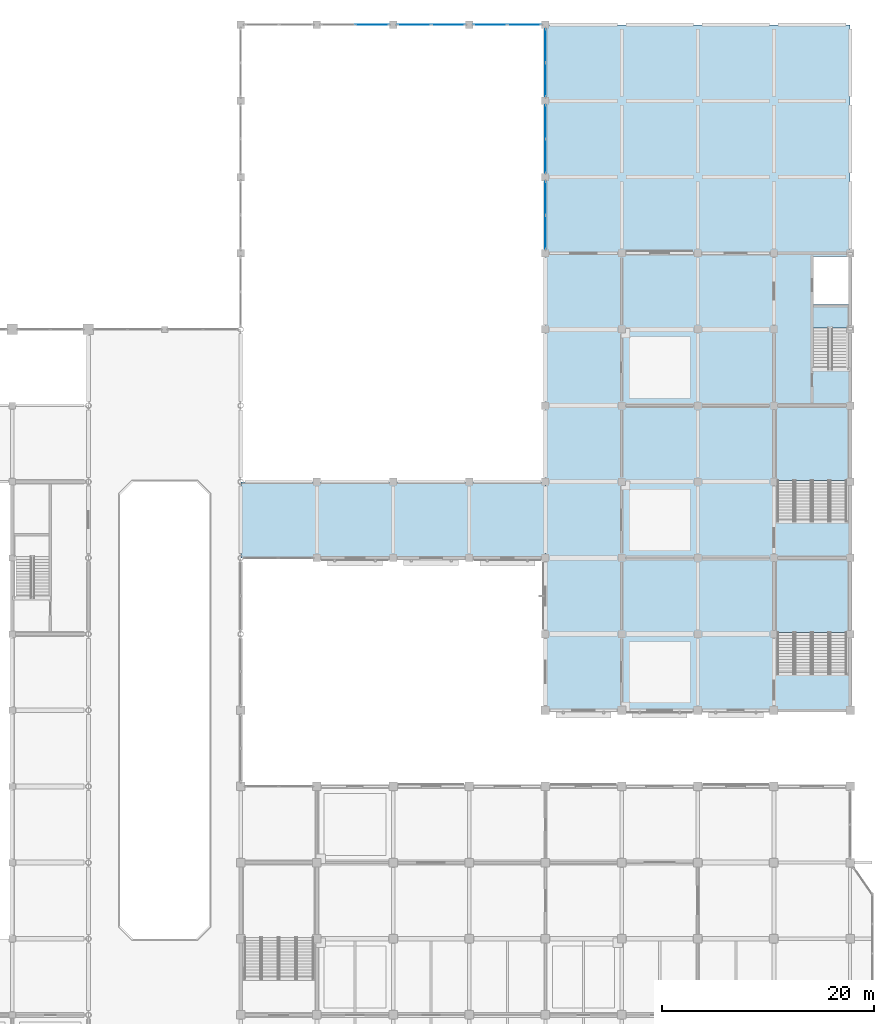
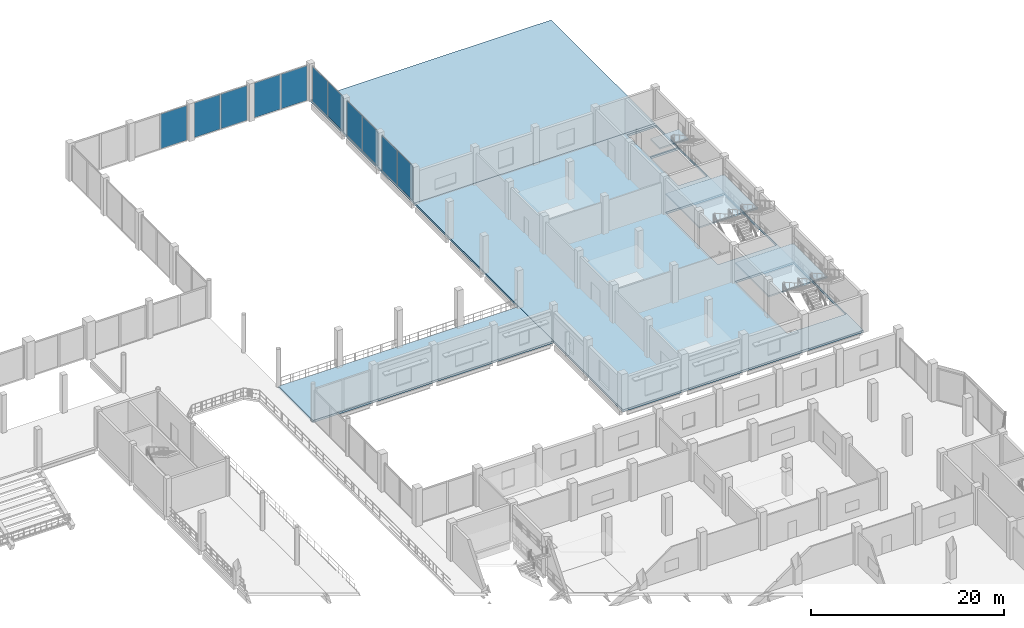
# One storey, part 59 of 99: 11 plates, 6 slabs, 9 elements without a shape of their own.
"""IFC4 building model written with IfcOpenShell, lengths in metres."""

import ifcopenshell
import ifcopenshell.guid

model = None  # the IFC model being written
_history = None  # IfcOwnerHistory: only IFC2X3 demands one
_inside = {}  # id of a spatial element -> (the spatial element, [elements in it])
_under = {}  # id of a project, library or spatial element -> (it, [spatial elements below it])
_declared = {}  # id of a project -> (the project, [libraries it declares])
_typed = {}  # id of a type object -> (the type object, [elements of that type])
_made_of = {}  # id of a material, layer set ... -> (it, [elements and type objects made of it])


def new_model(schema):
    """Start an empty IFC model of exactly this schema.

    Asked for "IFC4X3", IfcOpenShell would pick the latest addendum, in which some entities
    have other attributes; the version numbers below select the first issue.
    IFC2X3 requires an IfcOwnerHistory on every rooted entity: one is made here for all.
    """
    global model, _history
    if schema == "IFC4X3":
        model = ifcopenshell.file(schema_version=(4, 3, 0, 0))
    else:
        model = ifcopenshell.file(schema=schema)
    _inside.clear()
    _under.clear()
    _declared.clear()
    _typed.clear()
    _made_of.clear()
    _history = None
    if model.schema == "IFC2X3":
        org = make("IfcOrganization", Name="unknown")
        user = make(
            "IfcPersonAndOrganization",
            ThePerson=make("IfcPerson", FamilyName="unknown"),
            TheOrganization=org,
        )
        app = make(
            "IfcApplication",
            ApplicationDeveloper=org,
            Version="unknown",
            ApplicationFullName="unknown",
            ApplicationIdentifier="unknown",
        )
        _history = make(
            "IfcOwnerHistory",
            OwningUser=user,
            OwningApplication=app,
            ChangeAction="ADDED",
            CreationDate=0,
        )
    return model


def make(cls, **values):
    """One entity of the class cls with the attributes given. An attribute that is None is left unset."""
    return model.create_entity(
        cls, **{name: value for name, value in values.items() if value is not None}
    )


def rooted(cls, **values):
    """An entity with a GlobalId (a new one), such as an element, a storey or a relation."""
    return make(cls, GlobalId=ifcopenshell.guid.new(), OwnerHistory=_history, **values)


def si_unit(unit_type, name, prefix=None):
    """IfcSIUnit, for example si_unit("LENGTHUNIT", "METRE", prefix="MILLI")."""
    return make("IfcSIUnit", UnitType=unit_type, Prefix=prefix, Name=name)


def assignment(units):
    """IfcUnitAssignment: the units of a project."""
    return None if units is None else make("IfcUnitAssignment", Units=units)


def point(xyz):
    """IfcCartesianPoint."""
    return None if xyz is None else make("IfcCartesianPoint", Coordinates=xyz)


def direction(xyz):
    """IfcDirection."""
    return None if xyz is None else make("IfcDirection", DirectionRatios=xyz)


def frame(location, z_axis=None, x_axis=None):
    """IfcAxis2Placement3D, a coordinate frame: its origin and axes. An axis left out is left unset."""
    return make(
        "IfcAxis2Placement3D",
        Location=point(location),
        Axis=direction(z_axis),
        RefDirection=direction(x_axis),
    )


def frame_2d(location, x_axis=None):
    """IfcAxis2Placement2D, a coordinate frame in the plane: its origin and x axis."""
    return make(
        "IfcAxis2Placement2D", Location=point(location), RefDirection=direction(x_axis)
    )


def origin():
    """The frame at (0, 0, 0) with its axes left unset."""
    return frame((0.0, 0.0, 0.0))


def origin_2d():
    """The frame at (0, 0) in the plane with its x axis left unset."""
    return frame_2d((0.0, 0.0))


def place(relative_to, where):
    """IfcLocalPlacement: puts the frame where relative to a parent placement (None: the world)."""
    return make(
        "IfcLocalPlacement", PlacementRelTo=relative_to, RelativePlacement=where
    )


def context(
    kind, dimensions, precision=None, world=None, true_north=None, identifier=None
):
    """IfcGeometricRepresentationContext, for example the 3D "Model" context."""
    return make(
        "IfcGeometricRepresentationContext",
        ContextIdentifier=identifier,
        ContextType=kind,
        CoordinateSpaceDimension=dimensions,
        Precision=precision,
        WorldCoordinateSystem=world,
        TrueNorth=true_north,
    )


def subcontext(parent, identifier, kind, view, scale=None):
    """IfcGeometricRepresentationSubContext, for example "Body" below "Model"."""
    return make(
        "IfcGeometricRepresentationSubContext",
        ContextIdentifier=identifier,
        ContextType=kind,
        ParentContext=parent,
        TargetScale=scale,
        TargetView=view,
    )


def project(units=None, contexts=None):
    """IfcProject with its units and contexts."""
    return rooted(
        "IfcProject",
        Name="project",
        RepresentationContexts=contexts,
        UnitsInContext=assignment(units),
    )


def spatial(cls, under=None, at=None, **own):
    """A site, building, storey or space (cls), placed at a placement, below another one or the project."""
    s = rooted(cls, ObjectPlacement=at, **own)
    if under is not None:
        _under.setdefault(under.id(), (under, []))[1].append(s)
    return s


def polyline(points):
    """IfcPolyline through the points."""
    return make("IfcPolyline", Points=[point(p) for p in points])


def profile(cls, at=None, kind="AREA", **sizes):
    """A parametric profile (cls). Its sizes go by their IFC names, for example OverallWidth=200.0."""
    return make(cls, ProfileType=kind, Position=at, **sizes)


def rectangle(**sizes):
    """IfcRectangleProfileDef."""
    return profile("IfcRectangleProfileDef", **sizes)


def outline(outer, holes=None, kind="AREA"):
    """IfcArbitraryClosedProfileDef: a profile drawn as a closed curve; with holes, ...WithVoids."""
    if holes is None:
        return make("IfcArbitraryClosedProfileDef", ProfileType=kind, OuterCurve=outer)
    return make(
        "IfcArbitraryProfileDefWithVoids",
        ProfileType=kind,
        OuterCurve=outer,
        InnerCurves=holes,
    )


def extrude(swept, where, along, depth):
    """IfcExtrudedAreaSolid: the profile swept, set in the frame where, extruded along a direction by depth."""
    return make(
        "IfcExtrudedAreaSolid",
        SweptArea=swept,
        Position=where,
        ExtrudedDirection=direction(along),
        Depth=depth,
    )


def shape(context_of_items, identifier, shape_type, items):
    """IfcShapeRepresentation: the items that make up one representation, for example the "Body"."""
    return make(
        "IfcShapeRepresentation",
        ContextOfItems=context_of_items,
        RepresentationIdentifier=identifier,
        RepresentationType=shape_type,
        Items=items,
    )


def material(Name=None, Category=None):
    """IfcMaterial."""
    return make("IfcMaterial", Name=Name, Category=Category)


def layer(
    of_material, thickness, ventilated=None, Name=None, Category=None, Priority=None
):
    """IfcMaterialLayer: one layer of a wall or slab, of a material (None: an air gap)."""
    return make(
        "IfcMaterialLayer",
        Material=of_material,
        LayerThickness=thickness,
        IsVentilated=ventilated,
        Name=Name,
        Category=Category,
        Priority=Priority,
    )


def layer_set(layers, Name=None):
    """IfcMaterialLayerSet."""
    return make("IfcMaterialLayerSet", MaterialLayers=layers, LayerSetName=Name)


def made_of(thing, what):
    """Note that an element or type object is made of a material, layer set ...; save() writes the relation."""
    if what is not None:
        _made_of.setdefault(what.id(), (what, []))[1].append(thing)
    return thing


def type_object(cls, material=None, **own):
    """A type object (cls), such as IfcWallType, which elements share."""
    return made_of(rooted(cls, **own), material)


def element(
    cls,
    number,
    at=None,
    inside=None,
    cuts=None,
    type_object=None,
    material=None,
    context=None,
    identifier="Body",
    shape_type=None,
    held_by="IfcProductDefinitionShape",
    body=None,
    shapes=None,
    **own,
):
    """One element of the class cls, such as IfcWall. Its Tag is "e" and its number.

    at: its placement. inside: the storey or other place that contains it. cuts: it is an
    opening in that element (IfcRelVoidsElement). A single representation is given by context,
    identifier, shape_type and body (its items); several are given by shapes. held_by: the class
    of the entity that holds the representations. save() writes the other relations.
    """
    e = rooted(cls, Tag="e%d" % number, ObjectPlacement=at, **own)
    if body is not None:
        shapes = [shape(context, identifier, shape_type, body)]
    if shapes is not None:
        e.Representation = make(held_by, Representations=shapes)
    if inside is not None:
        _inside.setdefault(inside.id(), (inside, []))[1].append(e)
    if cuts is not None:
        rooted(
            "IfcRelVoidsElement", RelatingBuildingElement=cuts, RelatedOpeningElement=e
        )
    if type_object is not None:
        _typed.setdefault(type_object.id(), (type_object, []))[1].append(e)
    return made_of(e, material)


def aggregate(whole, parts):
    """IfcRelAggregates: a whole, such as a stair, and the parts it consists of."""
    return rooted("IfcRelAggregates", RelatingObject=whole, RelatedObjects=parts)


def save(model, path):
    """Write the relations noted so far, then the file.

    IfcRelAggregates (storeys below a building ...), IfcRelContainedInSpatialStructure (elements
    in a storey), IfcRelDefinesByType, IfcRelAssociatesMaterial and IfcRelDeclares: one each for
    every whole, place, type object, material and project.
    """
    for whole, parts in _under.values():
        aggregate(whole, parts)
    for where, things in _inside.values():
        rooted(
            "IfcRelContainedInSpatialStructure",
            RelatedElements=things,
            RelatingStructure=where,
        )
    for kind, things in _typed.values():
        rooted("IfcRelDefinesByType", RelatedObjects=things, RelatingType=kind)
    for what, things in _made_of.values():
        rooted("IfcRelAssociatesMaterial", RelatedObjects=things, RelatingMaterial=what)
    for by, libraries in _declared.values():
        rooted("IfcRelDeclares", RelatingContext=by, RelatedDefinitions=libraries)
    model.write(path)


model = new_model("IFC4")

# Units and contexts
model_context = context("Model", 3, precision=1e-05, world=origin(), true_north=direction((0.0, 1.0)))
body_context = subcontext(model_context, "Body", "Model", "MODEL_VIEW")
ifc_project = project(units=[si_unit("LENGTHUNIT", "METRE"), si_unit("AREAUNIT", "SQUARE_METRE"), si_unit("VOLUMEUNIT", "CUBIC_METRE"), si_unit("PLANEANGLEUNIT", "RADIAN"), si_unit("MASSUNIT", "GRAM", prefix="KILO")], contexts=[model_context])

# Site, building, storey
site_placement = place(None, origin())
site = spatial("IfcSite", under=ifc_project, at=site_placement, CompositionType="ELEMENT")
building_placement = place(site_placement, origin())
building = spatial("IfcBuilding", under=site, at=building_placement, Name="Vesperath Aquatics Centre", CompositionType="ELEMENT")
storey_placement = place(building_placement, frame((0.0, 0.0, 5.39990234375)))
storey = spatial("IfcBuildingStorey", under=building, at=storey_placement, Name="L01", CompositionType="ELEMENT", Elevation=5.39990234375)

# Curtain wall, plate
ifc_material_1 = material(Name="Thermally broken anodised bronze aluminium curtain wall", Category="aluminium")
curtain_wall_type = type_object("IfcCurtainWallType", Name="CW-06", PredefinedType="NOTDEFINED", material=ifc_material_1)
curtain_wall_1_placement = place(storey_placement, origin())
curtain_wall_1 = element("IfcCurtainWall", 1, at=curtain_wall_1_placement, inside=storey, type_object=curtain_wall_type, Name="Facade Curtain Wall CW06 L01_N_17_16", PredefinedType="NOTDEFINED")
ifc_material_2 = material(Name="Triple low-E argon insulated vision glass", Category="glass")
ifc_layer_1 = layer(ifc_material_2, 0.035888671875)
ifc_layer_set_1 = layer_set([ifc_layer_1], Name="Triple low-E argon insulated vision glass")
plate_type = type_object("IfcPlateType", Name="PT-CWP05", PredefinedType="CURTAIN_PANEL", material=ifc_layer_set_1)
plate_1_placement = place(storey_placement, frame((127.606201171875, 115.199951171875, 0.0751953125), z_axis=(0.0, 0.0, 1.0), x_axis=(1.0, 0.0, 0.0)))
plate_1 = element("IfcPlate", 2, at=plate_1_placement, type_object=plate_type, Name="CW06 panel 2.1", PredefinedType="CURTAIN_PANEL", context=body_context, shape_type="SweptSolid", body=[
    extrude(rectangle(XDim=3.137451171875, YDim=0.035888671875, at=origin_2d()), origin(), (0.0, 0.0, 1.0), 4.389892578125),
])
aggregate(curtain_wall_1, [plate_1])

# Curtain wall, plates
curtain_wall_2_placement = place(storey_placement, origin())
curtain_wall_2 = element("IfcCurtainWall", 3, at=curtain_wall_2_placement, inside=storey, type_object=curtain_wall_type, Name="Facade Curtain Wall CW06 L01_N_18_16", PredefinedType="NOTDEFINED")
plate_2_placement = place(storey_placement, frame((131.59375, 115.199951171875, 0.0751953125), z_axis=(0.0, 0.0, 1.0), x_axis=(1.0, 0.0, 0.0)))
plate_2 = element("IfcPlate", 4, at=plate_2_placement, type_object=plate_type, Name="CW06 panel 1.1", PredefinedType="CURTAIN_PANEL", context=body_context, shape_type="SweptSolid", body=[
    extrude(rectangle(XDim=3.137451171875, YDim=0.035888671875, at=origin_2d()), origin(), (0.0, 0.0, 1.0), 4.389892578125),
])
plate_3_placement = place(storey_placement, frame((134.80615234375, 115.199951171875, 0.0751953125), z_axis=(0.0, 0.0, 1.0), x_axis=(1.0, 0.0, 0.0)))
plate_3 = element("IfcPlate", 5, at=plate_3_placement, type_object=plate_type, Name="CW06 panel 2.1", PredefinedType="CURTAIN_PANEL", context=body_context, shape_type="SweptSolid", body=[
    extrude(rectangle(XDim=3.137451171875, YDim=0.035888671875, at=origin_2d()), origin(), (0.0, 0.0, 1.0), 4.389892578125),
])
aggregate(curtain_wall_2, [plate_2, plate_3])

curtain_wall_3_placement = place(storey_placement, origin())
curtain_wall_3 = element("IfcCurtainWall", 6, at=curtain_wall_3_placement, inside=storey, type_object=curtain_wall_type, Name="Facade Curtain Wall CW06 L01_N_19_16", PredefinedType="NOTDEFINED")
plate_4_placement = place(storey_placement, frame((138.793701171875, 115.199951171875, 0.0751953125), z_axis=(0.0, 0.0, 1.0), x_axis=(1.0, 0.0, 0.0)))
plate_4 = element("IfcPlate", 7, at=plate_4_placement, type_object=plate_type, Name="CW06 panel 1.1", PredefinedType="CURTAIN_PANEL", context=body_context, shape_type="SweptSolid", body=[
    extrude(rectangle(XDim=3.137451171875, YDim=0.035888671875, at=origin_2d()), origin(), (0.0, 0.0, 1.0), 4.389892578125),
])
plate_5_placement = place(storey_placement, frame((142.00634765625, 115.199951171875, 0.0751953125), z_axis=(0.0, 0.0, 1.0), x_axis=(1.0, 0.0, 0.0)))
plate_5 = element("IfcPlate", 8, at=plate_5_placement, type_object=plate_type, Name="CW06 panel 2.1", PredefinedType="CURTAIN_PANEL", context=body_context, shape_type="SweptSolid", body=[
    extrude(rectangle(XDim=3.137451171875, YDim=0.035888671875, at=origin_2d()), origin(), (0.0, 0.0, 1.0), 4.389892578125),
])
aggregate(curtain_wall_3, [plate_4, plate_5])

curtain_wall_4_placement = place(storey_placement, origin())
curtain_wall_4 = element("IfcCurtainWall", 9, at=curtain_wall_4_placement, inside=storey, type_object=curtain_wall_type, Name="Facade Curtain Wall CW06 L01_E_20_13", PredefinedType="NOTDEFINED")
plate_6_placement = place(storey_placement, frame((144.0, 95.59375, 0.0751953125), z_axis=(0.0, 0.0, 1.0), x_axis=(0.0, 1.0, 0.0)))
plate_6 = element("IfcPlate", 10, at=plate_6_placement, type_object=plate_type, Name="CW06 panel 1.1", PredefinedType="CURTAIN_PANEL", context=body_context, shape_type="SweptSolid", body=[
    extrude(rectangle(XDim=3.137451171875, YDim=0.035888671875, at=origin_2d()), origin(), (0.0, 0.0, 1.0), 4.389892578125),
])
plate_7_placement = place(storey_placement, frame((144.0, 98.80615234375, 0.0751953125), z_axis=(0.0, 0.0, 1.0), x_axis=(0.0, 1.0, 0.0)))
plate_7 = element("IfcPlate", 11, at=plate_7_placement, type_object=plate_type, Name="CW06 panel 2.1", PredefinedType="CURTAIN_PANEL", context=body_context, shape_type="SweptSolid", body=[
    extrude(rectangle(XDim=3.137451171875, YDim=0.035888671875, at=origin_2d()), origin(), (0.0, 0.0, 1.0), 4.389892578125),
])
aggregate(curtain_wall_4, [plate_6, plate_7])

curtain_wall_5_placement = place(storey_placement, origin())
curtain_wall_5 = element("IfcCurtainWall", 12, at=curtain_wall_5_placement, inside=storey, type_object=curtain_wall_type, Name="Facade Curtain Wall CW06 L01_E_20_14", PredefinedType="NOTDEFINED")
plate_8_placement = place(storey_placement, frame((144.0, 102.793701171875, 0.0751953125), z_axis=(0.0, 0.0, 1.0), x_axis=(0.0, 1.0, 0.0)))
plate_8 = element("IfcPlate", 13, at=plate_8_placement, type_object=plate_type, Name="CW06 panel 1.1", PredefinedType="CURTAIN_PANEL", context=body_context, shape_type="SweptSolid", body=[
    extrude(rectangle(XDim=3.137451171875, YDim=0.035888671875, at=origin_2d()), origin(), (0.0, 0.0, 1.0), 4.389892578125),
])
plate_9_placement = place(storey_placement, frame((144.0, 106.00634765625, 0.0751953125), z_axis=(0.0, 0.0, 1.0), x_axis=(0.0, 1.0, 0.0)))
plate_9 = element("IfcPlate", 14, at=plate_9_placement, type_object=plate_type, Name="CW06 panel 2.1", PredefinedType="CURTAIN_PANEL", context=body_context, shape_type="SweptSolid", body=[
    extrude(rectangle(XDim=3.137451171875, YDim=0.035888671875, at=origin_2d()), origin(), (0.0, 0.0, 1.0), 4.389892578125),
])
aggregate(curtain_wall_5, [plate_8, plate_9])

curtain_wall_6_placement = place(storey_placement, origin())
curtain_wall_6 = element("IfcCurtainWall", 15, at=curtain_wall_6_placement, inside=storey, type_object=curtain_wall_type, Name="Facade Curtain Wall CW06 L01_E_20_15", PredefinedType="NOTDEFINED")
plate_10_placement = place(storey_placement, frame((144.0, 109.99365234375, 0.0751953125), z_axis=(0.0, 0.0, 1.0), x_axis=(0.0, 1.0, 0.0)))
plate_10 = element("IfcPlate", 16, at=plate_10_placement, type_object=plate_type, Name="CW06 panel 1.1", PredefinedType="CURTAIN_PANEL", context=body_context, shape_type="SweptSolid", body=[
    extrude(rectangle(XDim=3.137451171875, YDim=0.035888671875, at=origin_2d()), origin(), (0.0, 0.0, 1.0), 4.389892578125),
])
plate_11_placement = place(storey_placement, frame((144.0, 113.206298828125, 0.0751953125), z_axis=(0.0, 0.0, 1.0), x_axis=(0.0, 1.0, 0.0)))
plate_11 = element("IfcPlate", 17, at=plate_11_placement, type_object=plate_type, Name="CW06 panel 2.1", PredefinedType="CURTAIN_PANEL", context=body_context, shape_type="SweptSolid", body=[
    extrude(rectangle(XDim=3.137451171875, YDim=0.035888671875, at=origin_2d()), origin(), (0.0, 0.0, 1.0), 4.389892578125),
])
aggregate(curtain_wall_6, [plate_10, plate_11])

# Slabs
ifc_material_3 = material(Name="Concrete C35", Category="concrete")
ifc_layer_2 = layer(ifc_material_3, 0.260009765625)
ifc_layer_set_2 = layer_set([ifc_layer_2], Name="Concrete C35")
slab_type_1 = type_object("IfcSlabType", Name="SL-FL02", PredefinedType="FLOOR", material=ifc_layer_set_2)
slab_1_placement = place(storey_placement, frame((0.0, 0.0, -0.260009765625)))
element("IfcSlab", 18, at=slab_1_placement, inside=storey, type_object=slab_type_1, Name="Leisure Pool Viewing Gallery Slab SL02 L01", PredefinedType="FLOOR", context=body_context, shape_type="SweptSolid", body=[
    extrude(outline(polyline([(115.199951171875, 64.800048828125), (144.0, 64.800048828125), (144.0, 72.0), (115.199951171875, 72.0), (115.199951171875, 64.800048828125)])), origin(), (0.0, 0.0, 1.0), 0.260009765625),
])
slab_2_placement = place(storey_placement, frame((0.0, 0.0, -0.260009765625)))
element("IfcSlab", 19, at=slab_2_placement, inside=storey, type_object=slab_type_1, Name="Upper Changing Village Slab SL02 L01", PredefinedType="FLOOR", context=body_context, shape_type="SweptSolid", body=[
    extrude(outline(polyline([(144.0, 50.39990234375), (172.800048828125, 50.39990234375), (172.800048828125, 93.60009765625), (144.0, 93.60009765625), (144.0, 50.39990234375)]), holes=[polyline([(169.260009765625, 82.64990234375), (172.719970703125, 82.64990234375), (172.719970703125, 88.56005859375), (169.260009765625, 88.56005859375), (169.260009765625, 82.64990234375)]), polyline([(169.260009765625, 88.739990234375), (172.719970703125, 88.739990234375), (172.719970703125, 93.280029296875), (169.260009765625, 93.280029296875), (169.260009765625, 88.739990234375)]), polyline([(165.679931640625, 53.85009765625), (172.719970703125, 53.85009765625), (172.719970703125, 64.719970703125), (165.679931640625, 64.719970703125), (165.679931640625, 53.85009765625)]), polyline([(165.679931640625, 68.25), (172.719970703125, 68.25), (172.719970703125, 79.1201171875), (165.679931640625, 79.1201171875), (165.679931640625, 68.25)])]), origin(), (0.0, 0.0, 1.0), 0.260009765625),
])

# Stair, slab
stair_type_1 = type_object("IfcStairType", Name="ST-HW48", PredefinedType="HALF_TURN_STAIR", material=ifc_material_3)
stair_1_placement = place(storey_placement, origin())
stair_1 = element("IfcStair", 20, at=stair_1_placement, inside=storey, type_object=stair_type_1, Name="Enclosed Exit Stair ST13A L01", PredefinedType="HALF_TURN_STAIR")
ifc_layer_3 = layer(ifc_material_3, 0.199951171875)
ifc_layer_set_3 = layer_set([ifc_layer_3], Name="Concrete C35")
slab_type_2 = type_object("IfcSlabType", Name="SL-LND1", PredefinedType="LANDING", material=ifc_layer_set_3)
slab_3_placement = place(storey_placement, frame((0.0, 0.0, 2.2001953125)))
slab_3 = element("IfcSlab", 21, at=slab_3_placement, type_object=slab_type_2, Name="Stairs ST13A and ST13B Half-Landing L01", PredefinedType="LANDING", context=body_context, shape_type="SweptSolid", body=[
    extrude(outline(polyline([(165.68994140625, 72.139892578125), (172.7099609375, 72.139892578125), (172.7099609375, 79.110107421875), (165.68994140625, 79.110107421875), (165.68994140625, 72.139892578125)])), origin(), (0.0, 0.0, 1.0), 0.199951171875),
])
aggregate(stair_1, [slab_3])

stair_type_2 = type_object("IfcStairType", Name="ST-HT48", PredefinedType="HALF_TURN_STAIR", material=ifc_material_3)
stair_2_placement = place(storey_placement, origin())
stair_2 = element("IfcStair", 22, at=stair_2_placement, inside=storey, type_object=stair_type_2, Name="Enclosed Exit Stair ST4 L01", PredefinedType="HALF_TURN_STAIR")
ifc_layer_4 = layer(ifc_material_3, 0.18994140625)
ifc_layer_set_4 = layer_set([ifc_layer_4], Name="Concrete C35")
slab_type_3 = type_object("IfcSlabType", Name="SL-LND2", PredefinedType="LANDING", material=ifc_layer_set_4)
slab_4_placement = place(storey_placement, frame((0.0, 0.0, 2.210205078125)))
slab_4 = element("IfcSlab", 23, at=slab_4_placement, type_object=slab_type_3, Name="Stair ST4 Half-Landing L01", PredefinedType="LANDING", context=body_context, shape_type="SweptSolid", body=[
    extrude(outline(polyline([(169.280029296875, 86.5400390625), (172.7099609375, 86.5400390625), (172.7099609375, 88.5), (169.280029296875, 88.5), (169.280029296875, 86.5400390625)])), origin(), (0.0, 0.0, 1.0), 0.18994140625),
])
aggregate(stair_2, [slab_4])

stair_3_placement = place(storey_placement, origin())
stair_3 = element("IfcStair", 24, at=stair_3_placement, inside=storey, type_object=stair_type_1, Name="Enclosed Exit Stair ST12A L01", PredefinedType="HALF_TURN_STAIR")
slab_5_placement = place(storey_placement, frame((0.0, 0.0, 2.210205078125)))
slab_5 = element("IfcSlab", 25, at=slab_5_placement, type_object=slab_type_3, Name="Stairs ST12A and ST12B Half-Landing L01", PredefinedType="LANDING", context=body_context, shape_type="SweptSolid", body=[
    extrude(outline(polyline([(165.68994140625, 57.739990234375), (172.7099609375, 57.739990234375), (172.7099609375, 64.7099609375), (165.68994140625, 64.7099609375), (165.68994140625, 57.739990234375)])), origin(), (0.0, 0.0, 1.0), 0.18994140625),
])
aggregate(stair_3, [slab_5])

# Slab
ifc_layer_5 = layer(ifc_material_3, 0.2548828125)
ifc_layer_set_5 = layer_set([ifc_layer_5], Name="Concrete C35")
slab_type_4 = type_object("IfcSlabType", Name="SL-RF01", PredefinedType="ROOF", material=ifc_layer_set_5)
slab_6_placement = place(storey_placement, frame((0.0, 0.0, -0.2548828125)))
element("IfcSlab", 26, at=slab_6_placement, inside=storey, type_object=slab_type_4, Name="Family Changing Wing Low Roof Slab RD01", PredefinedType="ROOF", context=body_context, shape_type="SweptSolid", body=[
    extrude(outline(polyline([(144.0, 93.60009765625), (172.800048828125, 93.60009765625), (172.800048828125, 115.199951171875), (144.0, 115.199951171875), (144.0, 93.60009765625)])), origin(), (0.0, 0.0, 1.0), 0.2548828125),
])

save(model, "model.ifc")
